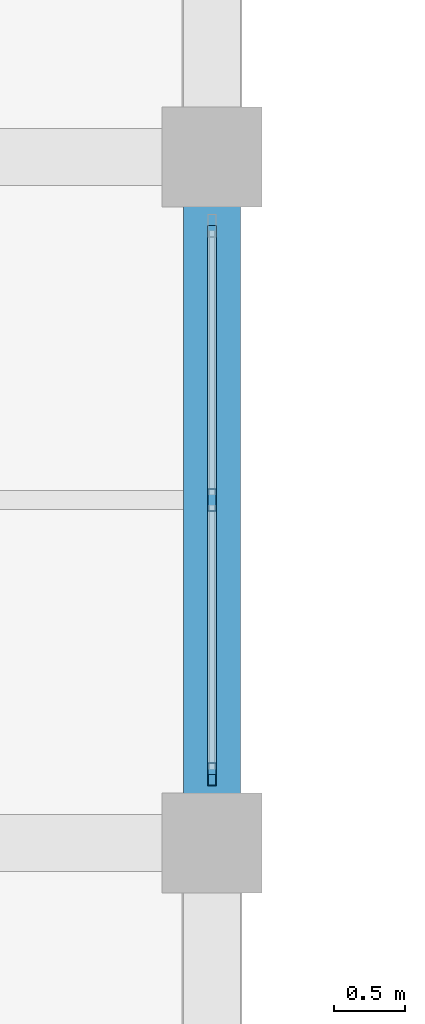
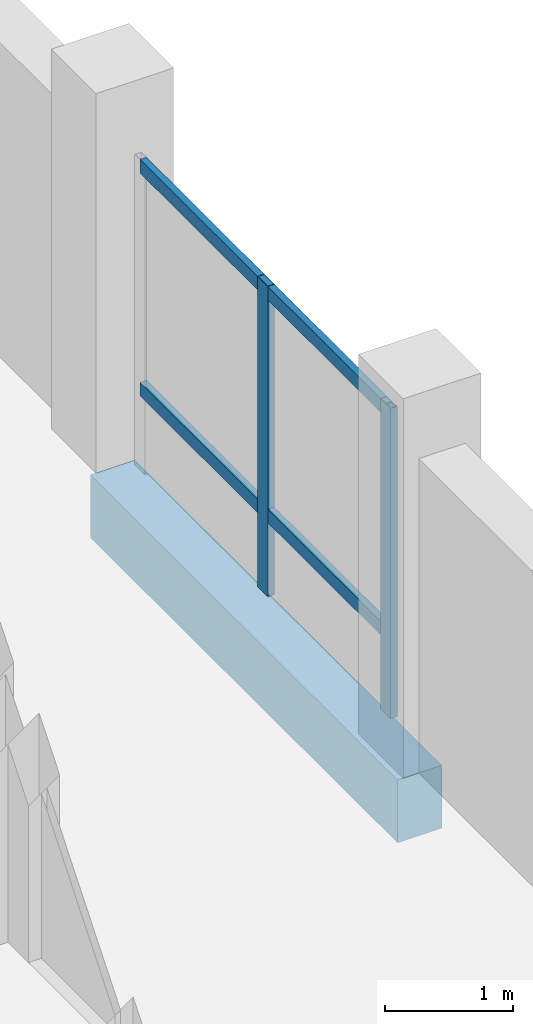
# One storey, part 27 of 128: 4 members, 1 beam, 1 element without a shape of its own.
"""IFC4 building model written with IfcOpenShell, lengths in metres."""

from ifc_helpers import new_model, si_unit, direction, frame, origin, origin_2d, place, context, subcontext, project, spatial, rectangle, hollow_rectangle, extrude, material, material_profile, profile_set, type_object, element, aggregate, save


model = new_model("IFC4")

# Units and contexts
model_context = context("Model", 3, precision=1e-05, world=origin(), true_north=direction((0.0, 1.0)))
body_context = subcontext(model_context, "Body", "Model", "MODEL_VIEW")
ifc_project = project(units=[si_unit("LENGTHUNIT", "METRE"), si_unit("AREAUNIT", "SQUARE_METRE"), si_unit("VOLUMEUNIT", "CUBIC_METRE"), si_unit("PLANEANGLEUNIT", "RADIAN"), si_unit("MASSUNIT", "GRAM", prefix="KILO")], contexts=[model_context])

# Site, building, storey
site_placement = place(None, origin())
site = spatial("IfcSite", under=ifc_project, at=site_placement, CompositionType="ELEMENT")
building_placement = place(site_placement, origin())
building = spatial("IfcBuilding", under=site, at=building_placement, Name="Zornivar Specialist Clinic", CompositionType="ELEMENT")
storey_placement = place(building_placement, frame((0.0, 0.0, 4.5)))
storey = spatial("IfcBuildingStorey", under=building, at=storey_placement, Name="L01", CompositionType="ELEMENT", Elevation=4.5)

# Beam
ifc_material_1 = material(Name="Concrete C30/37", Category="concrete")
ifc_material_profile_1 = material_profile(ifc_material_1, rectangle(XDim=0.39990234375, YDim=0.60009765625, at=origin_2d()), Name="RC 400x600")
ifc_profile_set_1 = profile_set([ifc_material_profile_1], Name="Concrete C30/37")
beam_type = type_object("IfcBeamType", Name="BM-RC-400x600", PredefinedType="BEAM", material=ifc_profile_set_1)
beam_placement = place(storey_placement, frame((14.39990234375, 43.199951171875, -0.580078125), z_axis=(0.0, 1.0, 0.0), x_axis=(-1.0, 0.0, 0.0)))
element("IfcBeam", 1, at=beam_placement, inside=storey, type_object=beam_type, Name="bm:V2:L01:y:144:6", PredefinedType="BEAM", context=body_context, shape_type="SweptSolid", body=[
    extrude(rectangle(XDim=0.39990234375, YDim=0.60009765625, at=origin_2d()), origin(), (0.0, 0.0, 1.0), 4.800048828125),
])

# Curtain wall, members
ifc_material_2 = material(Name="Aluminium and Low-E Glass Curtain Wall", Category="aluminium")
curtain_wall_type = type_object("IfcCurtainWallType", Name="CW-REVAK-COURT", PredefinedType="NOTDEFINED", material=ifc_material_2)
curtain_wall_placement = place(storey_placement, origin())
curtain_wall = element("IfcCurtainWall", 2, at=curtain_wall_placement, inside=storey, type_object=curtain_wall_type, Name="cw:V2:L01:18", PredefinedType="NOTDEFINED")
ifc_material_3 = material(Name="Aluminium AW-6060", Category="aluminium")
ifc_material_profile_2 = material_profile(ifc_material_3, hollow_rectangle(XDim=0.06005859375, YDim=0.159912109375, WallThickness=0.00390625, at=origin_2d()), Name="ALU 60x160x4")
ifc_profile_set_2 = profile_set([ifc_material_profile_2], Name="Aluminium AW-6060")
member_type_1 = type_object("IfcMemberType", Name="CWM-MUL-160", PredefinedType="MULLION", material=ifc_profile_set_2)
member_1_placement = place(storey_placement, frame((14.39990234375, 43.679931640625, 0.0), z_axis=(0.0, 0.0, 1.0), x_axis=(1.0, 0.0, 0.0)))
member_1 = element("IfcMember", 3, at=member_1_placement, type_object=member_type_1, Name="cw:V2:L01:18:mul:0", PredefinedType="MULLION", context=body_context, shape_type="SweptSolid", body=[
    extrude(hollow_rectangle(XDim=0.06005859375, YDim=0.159912109375, WallThickness=0.00390625, at=origin_2d()), origin(), (0.0, 0.0, 1.0), 2.9599609375),
])
member_2_placement = place(storey_placement, frame((14.39990234375, 45.60009765625, 0.0), z_axis=(0.0, 0.0, 1.0), x_axis=(1.0, 0.0, 0.0)))
member_2 = element("IfcMember", 4, at=member_2_placement, type_object=member_type_1, Name="cw:V2:L01:18:mul:1", PredefinedType="MULLION", context=body_context, shape_type="SweptSolid", body=[
    extrude(hollow_rectangle(XDim=0.06005859375, YDim=0.159912109375, WallThickness=0.00390625, at=origin_2d()), origin(), (0.0, 0.0, 1.0), 2.9599609375),
])
ifc_material_4 = material(Name="Aluminium AW-6060", Category="aluminium")
ifc_material_profile_3 = material_profile(ifc_material_4, hollow_rectangle(XDim=0.06005859375, YDim=0.1298828125, WallThickness=0.00390625, at=origin_2d()), Name="ALU 60x130x4")
ifc_profile_set_3 = profile_set([ifc_material_profile_3], Name="Aluminium AW-6060")
member_type_2 = type_object("IfcMemberType", Name="CWM-TRN-130", PredefinedType="USERDEFINED", material=ifc_profile_set_3)
member_3_placement = place(storey_placement, frame((14.39990234375, 43.679931640625, 0.77001953125), z_axis=(0.0, 1.0, 0.0), x_axis=(-1.0, 0.0, 0.0)))
member_3 = element("IfcMember", 5, at=member_3_placement, type_object=member_type_2, Name="cw:V2:L01:18:trn:0", ObjectType="TRANSOM", PredefinedType="USERDEFINED", context=body_context, shape_type="SweptSolid", body=[
    extrude(hollow_rectangle(XDim=0.06005859375, YDim=0.1298828125, WallThickness=0.00390625, at=origin_2d()), origin(), (0.0, 0.0, 1.0), 3.840087890625),
])
member_4_placement = place(storey_placement, frame((14.39990234375, 43.679931640625, 2.89501953125), z_axis=(0.0, 1.0, 0.0), x_axis=(-1.0, 0.0, 0.0)))
member_4 = element("IfcMember", 6, at=member_4_placement, type_object=member_type_2, Name="cw:V2:L01:18:trn:1", ObjectType="TRANSOM", PredefinedType="USERDEFINED", context=body_context, shape_type="SweptSolid", body=[
    extrude(hollow_rectangle(XDim=0.06005859375, YDim=0.1298828125, WallThickness=0.00390625, at=origin_2d()), origin(), (0.0, 0.0, 1.0), 3.840087890625),
])
aggregate(curtain_wall, [member_1, member_2, member_3, member_4])

save(model, "model.ifc")
